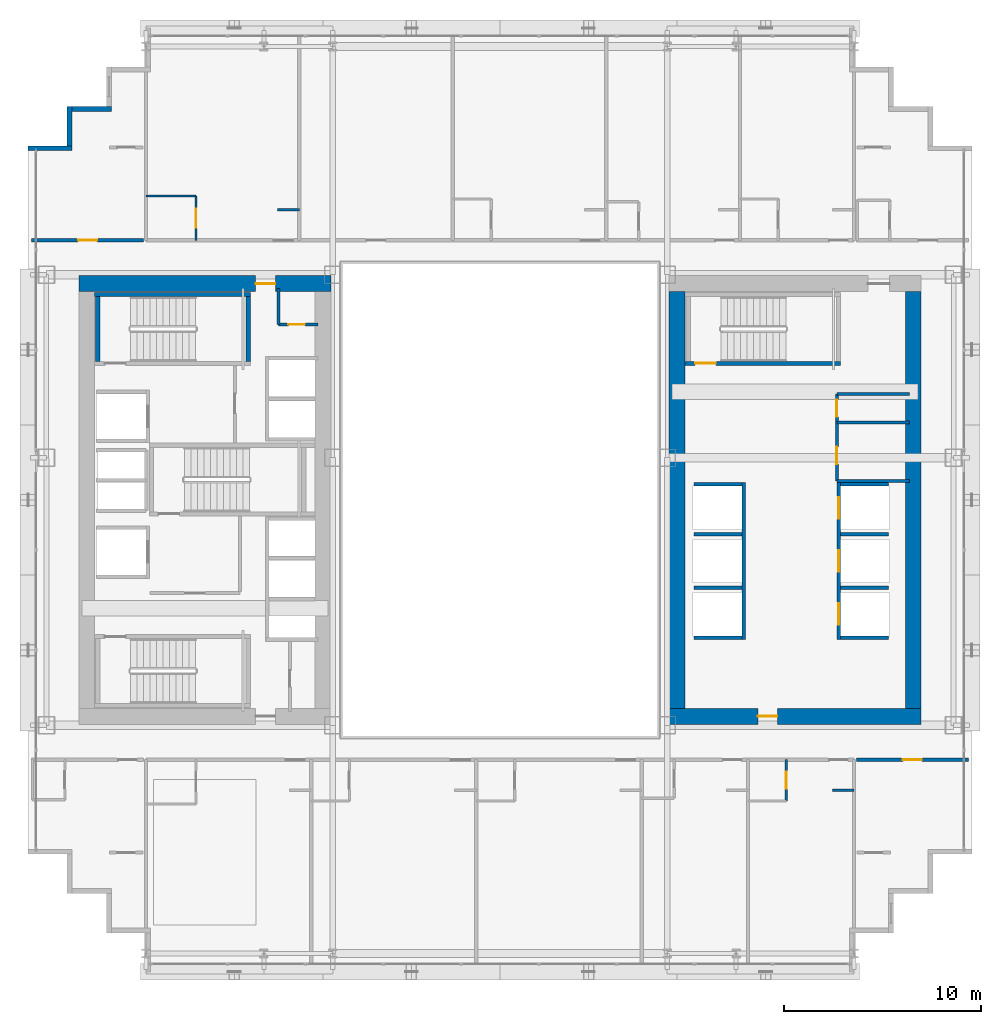
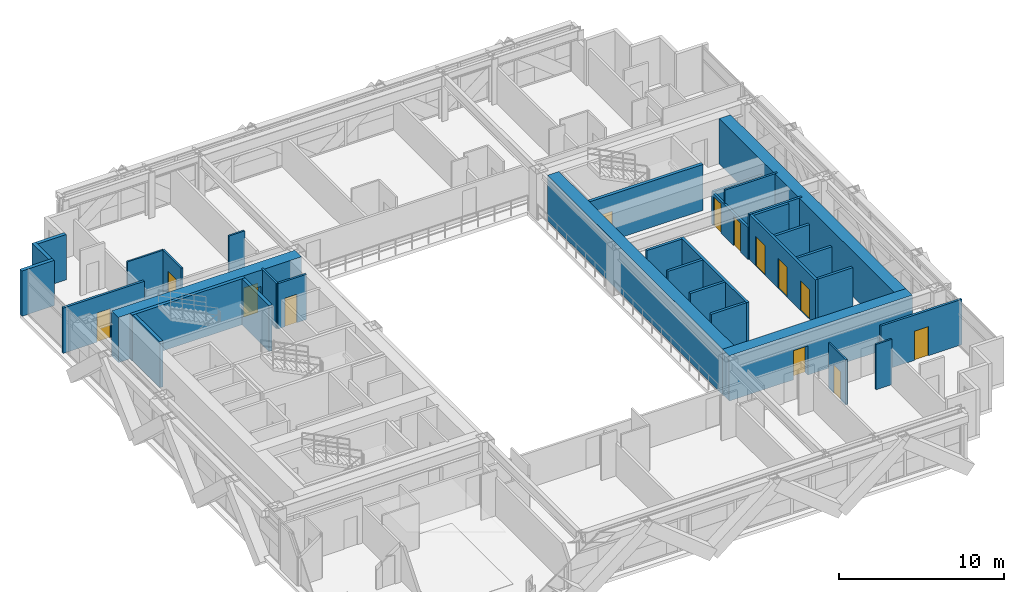
# One storey, part 29 of 35: 34 walls, 13 doors, 13 openings.
"""IFC4 building model written with IfcOpenShell, lengths in metres."""

from ifc_helpers import new_model, si_unit, direction, frame, frame_2d, origin, place, context, subcontext, project, spatial, rectangle, extrude, source, transform, mapped, material, layer, layer_set, type_object, element, fill, save


model = new_model("IFC4")

# Units and contexts
model_context = context("Model", 3, precision=1e-05, world=origin(), true_north=direction((0.0, 1.0)))
body_context = subcontext(model_context, "Body", "Model", "MODEL_VIEW")
ifc_project = project(units=[si_unit("LENGTHUNIT", "METRE"), si_unit("AREAUNIT", "SQUARE_METRE"), si_unit("VOLUMEUNIT", "CUBIC_METRE"), si_unit("PLANEANGLEUNIT", "RADIAN"), si_unit("MASSUNIT", "GRAM", prefix="KILO")], contexts=[model_context])

# Site, building, storey
site_placement = place(None, origin())
site = spatial("IfcSite", under=ifc_project, at=site_placement, CompositionType="ELEMENT")
building_placement = place(site_placement, origin())
building = spatial("IfcBuilding", under=site, at=building_placement, Name="Ocotamira Hotel", CompositionType="ELEMENT")
storey_placement = place(building_placement, frame((0.0, 0.0, 63.60009765625)))
storey = spatial("IfcBuildingStorey", under=building, at=storey_placement, Name="L15", CompositionType="ELEMENT", Elevation=63.60009765625)

# Wall, opening, door
ifc_material_1 = material(Name="Concrete C60/75", Category="concrete")
ifc_layer_1 = layer(ifc_material_1, 0.800048828125)
ifc_layer_set_1 = layer_set([ifc_layer_1], Name="Concrete C60/75")
wall_type_1 = type_object("IfcWallType", Name="WL-CORE-800", PredefinedType="SHEAR", material=ifc_layer_set_1)
wall_1_placement = place(storey_placement, frame((10.60009765625, 37.0, 0.0), z_axis=(0.0, 0.0, 1.0), x_axis=(1.0, 0.0, 0.0)))
wall_1 = element("IfcWall", 1, at=wall_1_placement, inside=storey, type_object=wall_type_1, Name="L15 Shear Core Wall WCORE-N", PredefinedType="SHEAR", context=body_context, shape_type="SweptSolid", body=[
    extrude(rectangle(XDim=12.7998046875, YDim=0.800048828125, at=frame_2d((6.39990234375, 0.0))), origin(), (0.0, 0.0, 1.0), 3.349853515625),
])
opening_1_placement = place(wall_1_placement, frame((8.97998046875, 0.0, 0.0)))
opening_1 = element("IfcOpeningElement", 2, at=opening_1_placement, cuts=wall_1, Name="Opening D-FR2", PredefinedType="OPENING", context=body_context, shape_type="SweptSolid", body=[
    extrude(rectangle(XDim=1.0, YDim=2.14990234375, at=frame_2d((0.5, 1.074951171875))), frame((0.0, 0.41015625, 0.0), z_axis=(0.0, -1.0, 0.0), x_axis=(1.0, 0.0, 0.0)), (0.0, 0.0, 1.0), 0.820068359375),
])
ifc_material_2 = material(Name="Fire-rated acoustic timber-veneer door", Category="wood")
door_type_1 = type_object("IfcDoorType", Name="DR-FIRE-1000", OperationType="NOTDEFINED", PredefinedType="DOOR", material=ifc_material_2)
shared_shape_1 = source(origin(), body_context, "Body", "SweptSolid", [
    extrude(rectangle(XDim=1.0, YDim=2.14990234375, at=frame_2d((0.5, 1.074951171875))), frame((0.0, 0.02490234375, 0.0), z_axis=(0.0, -1.0, 0.0), x_axis=(1.0, 0.0, 0.0)), (0.0, 0.0, 1.0), 0.050048828125),
])
door_1_placement = place(opening_1_placement, origin())
door_1 = element("IfcDoor", 3, at=door_1_placement, inside=storey, type_object=door_type_1, Name="L15 Door ID-L15-WLOB-N-D [ID-L15-WLOB-N-D]", OperationType="SINGLE_SWING_RIGHT", OverallHeight=2.14990234375, OverallWidth=1.0, PredefinedType="DOOR", context=body_context, shape_type="MappedRepresentation", body=[
    mapped(shared_shape_1, transform((0.0, 0.0, 0.0), scale=1.0)),
])
fill(opening_1, door_1)

wall_2_placement = place(storey_placement, frame((40.60009765625, 15.0, 0.0), z_axis=(0.0, 0.0, 1.0), x_axis=(1.0, 0.0, 0.0)))
wall_2 = element("IfcWall", 4, at=wall_2_placement, inside=storey, type_object=wall_type_1, Name="L15 Shear Core Wall ECORE-S", PredefinedType="SHEAR", context=body_context, shape_type="SweptSolid", body=[
    extrude(rectangle(XDim=12.7998046875, YDim=0.800048828125, at=frame_2d((6.39990234375, 0.0))), origin(), (0.0, 0.0, 1.0), 3.349853515625),
])
opening_2_placement = place(wall_2_placement, frame((4.5, 0.0, 0.0)))
opening_2 = element("IfcOpeningElement", 5, at=opening_2_placement, cuts=wall_2, Name="Opening D-FR2", PredefinedType="OPENING", context=body_context, shape_type="SweptSolid", body=[
    extrude(rectangle(XDim=1.0, YDim=2.14990234375, at=frame_2d((0.5, 1.074951171875))), frame((0.0, 0.41015625, 0.0), z_axis=(0.0, -1.0, 0.0), x_axis=(1.0, 0.0, 0.0)), (0.0, 0.0, 1.0), 0.820068359375),
])
door_2_placement = place(opening_2_placement, origin())
door_2 = element("IfcDoor", 6, at=door_2_placement, inside=storey, type_object=door_type_1, Name="L15 Door ID-L15-ELOB-S-D [ID-L15-ELOB-S-D]", OperationType="SINGLE_SWING_RIGHT", OverallHeight=2.14990234375, OverallWidth=1.0, PredefinedType="DOOR", context=body_context, shape_type="MappedRepresentation", body=[
    mapped(shared_shape_1, transform((0.0, 0.0, 0.0), scale=1.0)),
])
fill(opening_2, door_2)

# Walls
for number, where, z_axis, x_axis, name in (
    (7, (41.0, 15.39990234375, 0.0), (0.0, 0.0, 1.0), (0.0, 1.0, 0.0), "L15 Shear Core Wall ECORE-W"),
    (8, (53.0, 15.39990234375, 0.0), (0.0, 0.0, 1.0), (0.0, 1.0, 0.0), "L15 Shear Core Wall ECORE-E"),
):
    element("IfcWall", number, at=place(storey_placement, frame(where, z_axis=z_axis, x_axis=x_axis)), inside=storey, type_object=wall_type_1, Name=name, PredefinedType="SHEAR", context=body_context, shape_type="SweptSolid", body=[
        extrude(rectangle(XDim=21.2001953125, YDim=0.800048828125, at=frame_2d((10.60009765625, 0.0))), origin(), (0.0, 0.0, 1.0), 3.349853515625),
    ])
ifc_material_3 = material(Name="Precast concrete C45/55", Category="concrete")
ifc_layer_2 = layer(ifc_material_3, 0.25)
ifc_layer_set_2 = layer_set([ifc_layer_2], Name="Precast concrete C45/55")
wall_type_2 = type_object("IfcWallType", Name="WL-EXT-SER-250", PredefinedType="SOLIDWALL", material=ifc_layer_set_2)
for number, where, z_axis, x_axis, name in (
    (9, (12.25, 45.875, 0.0), (0.0, 0.0, 1.0), (-1.0, 0.0, 0.0), "L15 Serrated Corner Wall 16"),
    (10, (10.125, 46.0, 0.0), (0.0, 0.0, 1.0), (0.0, -1.0, 0.0), "L15 Serrated Corner Wall 17"),
):
    element("IfcWall", number, at=place(storey_placement, frame(where, z_axis=z_axis, x_axis=x_axis)), inside=storey, type_object=wall_type_2, Name=name, PredefinedType="SOLIDWALL", context=body_context, shape_type="SweptSolid", body=[
        extrude(rectangle(XDim=2.0, YDim=0.25, at=frame_2d((1.0, 0.0))), origin(), (0.0, 0.0, 1.0), 3.349853515625),
    ])
wall_3_placement = place(storey_placement, frame((10.25, 43.875, 0.0), z_axis=(0.0, 0.0, 1.0), x_axis=(-1.0, 0.0, 0.0)))
element("IfcWall", 11, at=wall_3_placement, inside=storey, type_object=wall_type_2, Name="L15 Serrated Corner Wall 18", PredefinedType="SOLIDWALL", context=body_context, shape_type="SweptSolid", body=[
    extrude(rectangle(XDim=2.25, YDim=0.25, at=frame_2d((1.125, 0.0))), origin(), (0.0, 0.0, 1.0), 3.349853515625),
])
ifc_material_4 = material(Name="Acoustic double-layer fire gypsum board partition", Category="gypsum")
ifc_layer_3 = layer(ifc_material_4, 0.159912109375)
ifc_layer_set_3 = layer_set([ifc_layer_3], Name="Acoustic double-layer fire gypsum board partition")
wall_type_3 = type_object("IfcWallType", Name="WL-FIRE-160", PredefinedType="PARTITIONING", material=ifc_layer_set_3)
wall_4_placement = place(storey_placement, frame((49.1201171875, 26.969970703125, 0.0), z_axis=(0.0, 0.0, 1.0), x_axis=(1.0, 0.0, 0.0)))
element("IfcWall", 12, at=wall_4_placement, inside=storey, type_object=wall_type_3, Name="L15 Interior Wall PW-L15-EC-NE-S", PredefinedType="PARTITIONING", context=body_context, shape_type="SweptSolid", body=[
    extrude(rectangle(XDim=3.679931640625, YDim=0.159912109375, at=frame_2d((1.83984375, 0.0))), origin(), (0.0, 0.0, 1.0), 3.349853515625),
])
wall_5_placement = place(storey_placement, frame((49.1201171875, 31.3798828125, 0.0), z_axis=(0.0, 0.0, 1.0), x_axis=(1.0, 0.0, 0.0)))
element("IfcWall", 13, at=wall_5_placement, inside=storey, type_object=wall_type_3, Name="L15 Interior Wall PW-L15-EC-NE-N", PredefinedType="PARTITIONING", context=body_context, shape_type="SweptSolid", body=[
    extrude(rectangle(XDim=3.679931640625, YDim=0.159912109375, at=frame_2d((1.83984375, 0.0))), origin(), (0.0, 0.0, 1.0), 2.35986328125),
])

# Wall, openings, doors
wall_6_placement = place(storey_placement, frame((49.1201171875, 26.969970703125, 0.0), z_axis=(0.0, 0.0, 1.0), x_axis=(0.0, 1.0, 0.0)))
wall_6 = element("IfcWall", 14, at=wall_6_placement, inside=storey, type_object=wall_type_3, Name="L15 Interior Wall PW-L15-EC-NE-W", PredefinedType="PARTITIONING", context=body_context, shape_type="SweptSolid", body=[
    extrude(rectangle(XDim=4.409912109375, YDim=0.159912109375, at=frame_2d((2.205078125, 0.0))), origin(), (0.0, 0.0, 1.0), 2.35986328125),
])
opening_3_placement = place(wall_6_placement, frame((0.85009765625, 0.0, 0.0)))
opening_3 = element("IfcOpeningElement", 15, at=opening_3_placement, cuts=wall_6, Name="Opening D-SV2", PredefinedType="OPENING", context=body_context, shape_type="SweptSolid", body=[
    extrude(rectangle(XDim=0.8798828125, YDim=2.14990234375, at=frame_2d((0.43994140625, 1.074951171875))), frame((0.0, 0.08984375, 0.0), z_axis=(0.0, -1.0, 0.0), x_axis=(1.0, 0.0, 0.0)), (0.0, 0.0, 1.0), 0.179931640625),
])
opening_4_placement = place(wall_6_placement, frame((3.25, 0.0, 0.0)))
opening_4 = element("IfcOpeningElement", 16, at=opening_4_placement, cuts=wall_6, Name="Opening D-SV2", PredefinedType="OPENING", context=body_context, shape_type="SweptSolid", body=[
    extrude(rectangle(XDim=0.8798828125, YDim=2.14990234375, at=frame_2d((0.43994140625, 1.074951171875))), frame((0.0, 0.08984375, 0.0), z_axis=(0.0, -1.0, 0.0), x_axis=(1.0, 0.0, 0.0)), (0.0, 0.0, 1.0), 0.179931640625),
])
ifc_material_5 = material(Name="Fire-rated painted steel service door", Category="steel")
door_type_2 = type_object("IfcDoorType", Name="DR-SERV-880", OperationType="NOTDEFINED", PredefinedType="DOOR", material=ifc_material_5)
shared_shape_2 = source(origin(), body_context, "Body", "SweptSolid", [
    extrude(rectangle(XDim=0.8798828125, YDim=2.14990234375, at=frame_2d((0.43994140625, 1.074951171875))), frame((0.0, 0.02490234375, 0.0), z_axis=(0.0, -1.0, 0.0), x_axis=(1.0, 0.0, 0.0)), (0.0, 0.0, 1.0), 0.050048828125),
])
door_3_placement = place(opening_3_placement, origin())
door_3 = element("IfcDoor", 17, at=door_3_placement, inside=storey, type_object=door_type_2, Name="L15 Door ID-L15-EC-NE-D1 [ID-L15-EC-NE-D1]", OperationType="SINGLE_SWING_LEFT", OverallHeight=2.14990234375, OverallWidth=0.8798828125, PredefinedType="DOOR", context=body_context, shape_type="MappedRepresentation", body=[
    mapped(shared_shape_2, transform((0.0, 0.0, 0.0), scale=1.0)),
])
fill(opening_3, door_3)
door_4_placement = place(opening_4_placement, origin())
door_4 = element("IfcDoor", 18, at=door_4_placement, inside=storey, type_object=door_type_2, Name="L15 Door ID-L15-EC-NE-D2 [ID-L15-EC-NE-D2]", OperationType="SINGLE_SWING_RIGHT", OverallHeight=2.14990234375, OverallWidth=0.8798828125, PredefinedType="DOOR", context=body_context, shape_type="MappedRepresentation", body=[
    mapped(shared_shape_2, transform((0.0, 0.0, 0.0), scale=1.0)),
])
fill(opening_4, door_4)

# Wall, opening, door
wall_7_placement = place(storey_placement, frame((50.1201171875, 12.800048828125, 0.0), z_axis=(0.0, 0.0, 1.0), x_axis=(1.0, 0.0, 0.0)))
wall_7 = element("IfcWall", 19, at=wall_7_placement, inside=storey, type_object=wall_type_3, Name="L15 Interior Wall PW-L15-Z1C-CSE-CW", PredefinedType="PARTITIONING", context=body_context, shape_type="SweptSolid", body=[
    extrude(rectangle(XDim=5.679931640625, YDim=0.159912109375, at=frame_2d((2.83984375, 0.0))), origin(), (0.0, 0.0, 1.0), 3.349853515625),
])
opening_5_placement = place(wall_7_placement, frame((2.360107421875, 0.0, 0.0)))
opening_5 = element("IfcOpeningElement", 20, at=opening_5_placement, cuts=wall_7, Name="Opening D-SV4", PredefinedType="OPENING", context=body_context, shape_type="SweptSolid", body=[
    extrude(rectangle(XDim=0.9599609375, YDim=2.14990234375, at=frame_2d((0.47998046875, 1.074951171875))), frame((0.0, 0.08984375, 0.0), z_axis=(0.0, -1.0, 0.0), x_axis=(1.0, 0.0, 0.0)), (0.0, 0.0, 1.0), 0.179931640625),
])
ifc_material_6 = material(Name="Fire-rated accessible walnut salon door", Category="wood")
door_type_3 = type_object("IfcDoorType", Name="DR-SERV-960", OperationType="NOTDEFINED", PredefinedType="DOOR", material=ifc_material_6)
shared_shape_3 = source(origin(), body_context, "Body", "SweptSolid", [
    extrude(rectangle(XDim=0.9599609375, YDim=2.14990234375, at=frame_2d((0.47998046875, 1.074951171875))), frame((0.0, 0.02490234375, 0.0), z_axis=(0.0, -1.0, 0.0), x_axis=(1.0, 0.0, 0.0)), (0.0, 0.0, 1.0), 0.050048828125),
])
door_5_placement = place(opening_5_placement, origin())
door_5 = element("IfcDoor", 21, at=door_5_placement, inside=storey, type_object=door_type_3, Name="L15 Door ID-L15-Z1C-CSE-CD [ID-L15-Z1C-CSE-CD]", OperationType="SINGLE_SWING_LEFT", OverallHeight=2.14990234375, OverallWidth=0.9599609375, PredefinedType="DOOR", context=body_context, shape_type="MappedRepresentation", body=[
    mapped(shared_shape_3, transform((0.0, 0.0, 0.0), scale=1.0)),
])
fill(opening_5, door_5)

wall_8_placement = place(storey_placement, frame((8.199951171875, 39.199951171875, 0.0), z_axis=(0.0, 0.0, 1.0), x_axis=(1.0, 0.0, 0.0)))
wall_8 = element("IfcWall", 22, at=wall_8_placement, inside=storey, type_object=wall_type_3, Name="L15 Interior Wall PW-L15-Z1C-CNW-CW", PredefinedType="PARTITIONING", context=body_context, shape_type="SweptSolid", body=[
    extrude(rectangle(XDim=5.679931640625, YDim=0.159912109375, at=frame_2d((2.83984375, 0.0))), origin(), (0.0, 0.0, 1.0), 3.349853515625),
])
opening_6_placement = place(wall_8_placement, frame((2.360107421875, 0.0, 0.0)))
opening_6 = element("IfcOpeningElement", 23, at=opening_6_placement, cuts=wall_8, Name="Opening D-SV4", PredefinedType="OPENING", context=body_context, shape_type="SweptSolid", body=[
    extrude(rectangle(XDim=0.9599609375, YDim=2.14990234375, at=frame_2d((0.47998046875, 1.074951171875))), frame((0.0, 0.08984375, 0.0), z_axis=(0.0, -1.0, 0.0), x_axis=(1.0, 0.0, 0.0)), (0.0, 0.0, 1.0), 0.179931640625),
])
door_6_placement = place(opening_6_placement, origin())
door_6 = element("IfcDoor", 24, at=door_6_placement, inside=storey, type_object=door_type_3, Name="L15 Door ID-L15-Z1C-CNW-CD [ID-L15-Z1C-CNW-CD]", OperationType="SINGLE_SWING_LEFT", OverallHeight=2.14990234375, OverallWidth=0.9599609375, PredefinedType="DOOR", context=body_context, shape_type="MappedRepresentation", body=[
    mapped(shared_shape_3, transform((0.0, 0.0, 0.0), scale=1.0)),
])
fill(opening_6, door_6)

ifc_material_7 = material(Name="Moisture-resistant en-suite tile and gypsum partition", Category="gypsum")
ifc_layer_4 = layer(ifc_material_7, 0.1201171875)
ifc_layer_set_4 = layer_set([ifc_layer_4], Name="Moisture-resistant en-suite tile and gypsum partition")
wall_type_4 = type_object("IfcWallType", Name="WL-PART-120", PredefinedType="PARTITIONING", material=ifc_layer_set_4)
wall_9_placement = place(storey_placement, frame((46.550048828125, 10.699951171875, 0.0), z_axis=(0.0, 0.0, 1.0), x_axis=(0.0, 1.0, 0.0)))
wall_9 = element("IfcWall", 25, at=wall_9_placement, inside=storey, type_object=wall_type_4, Name="L15 Interior Wall PW-L15-Z1CS-BAE5", PredefinedType="PARTITIONING", context=body_context, shape_type="SweptSolid", body=[
    extrude(rectangle(XDim=2.10009765625, YDim=0.1201171875, at=frame_2d((1.050048828125, 0.0))), origin(), (0.0, 0.0, 1.0), 3.349853515625),
])
opening_7_placement = place(wall_9_placement, frame((0.6201171875, 0.0, 0.0)))
opening_7 = element("IfcOpeningElement", 26, at=opening_7_placement, cuts=wall_9, Name="Opening D-BA1", PredefinedType="OPENING", context=body_context, shape_type="SweptSolid", body=[
    extrude(rectangle(XDim=0.860107421875, YDim=2.10009765625, at=frame_2d((0.43017578125, 1.050048828125))), frame((0.0, 0.070068359375, 0.0), z_axis=(0.0, -1.0, 0.0), x_axis=(1.0, 0.0, 0.0)), (0.0, 0.0, 1.0), 0.14013671875),
])
ifc_material_8 = material(Name="Moisture-sealed en-suite timber door", Category="wood")
door_type_4 = type_object("IfcDoorType", Name="DR-BATH-860", OperationType="NOTDEFINED", PredefinedType="DOOR", material=ifc_material_8)
shared_shape_4 = source(origin(), body_context, "Body", "SweptSolid", [
    extrude(rectangle(XDim=0.860107421875, YDim=2.10009765625, at=frame_2d((0.43017578125, 1.050048828125))), frame((0.0, 0.02490234375, 0.0), z_axis=(0.0, -1.0, 0.0), x_axis=(1.0, 0.0, 0.0)), (0.0, 0.0, 1.0), 0.050048828125),
])
door_7_placement = place(opening_7_placement, origin())
door_7 = element("IfcDoor", 27, at=door_7_placement, inside=storey, type_object=door_type_4, Name="L15 Door ID-L15-Z1CS-BAD5 [ID-L15-Z1CS-BAD5]", OperationType="SINGLE_SWING_RIGHT", OverallHeight=2.10009765625, OverallWidth=0.860107421875, PredefinedType="DOOR", context=body_context, shape_type="MappedRepresentation", body=[
    mapped(shared_shape_4, transform((0.0, 0.0, 0.0), scale=1.0)),
])
fill(opening_7, door_7)

# Wall
wall_10_placement = place(storey_placement, frame((48.89990234375, 11.25, 0.0), z_axis=(0.0, 0.0, 1.0), x_axis=(1.0, 0.0, 0.0)))
element("IfcWall", 28, at=wall_10_placement, inside=storey, type_object=wall_type_4, Name="L15 Interior Wall PW-L15-Z1CS-DRN5", PredefinedType="PARTITIONING", context=body_context, shape_type="SweptSolid", body=[
    extrude(rectangle(XDim=1.10009765625, YDim=0.1201171875, at=frame_2d((0.550048828125, 0.0))), origin(), (0.0, 0.0, 1.0), 3.349853515625),
])

# Wall, opening, door
wall_11_placement = place(storey_placement, frame((16.550048828125, 39.199951171875, 0.0), z_axis=(0.0, 0.0, 1.0), x_axis=(0.0, 1.0, 0.0)))
wall_11 = element("IfcWall", 29, at=wall_11_placement, inside=storey, type_object=wall_type_4, Name="L15 Interior Wall PW-L15-Z1CN-BAE1", PredefinedType="PARTITIONING", context=body_context, shape_type="SweptSolid", body=[
    extrude(rectangle(XDim=2.25, YDim=0.1201171875, at=frame_2d((1.125, 0.0))), origin(), (0.0, 0.0, 1.0), 3.349853515625),
])
opening_8_placement = place(wall_11_placement, frame((0.64501953125, 0.0, 0.0)))
opening_8 = element("IfcOpeningElement", 30, at=opening_8_placement, cuts=wall_11, Name="Opening D-IN1", PredefinedType="OPENING", context=body_context, shape_type="SweptSolid", body=[
    extrude(rectangle(XDim=0.9599609375, YDim=2.14990234375, at=frame_2d((0.47998046875, 1.074951171875))), frame((0.0, 0.070068359375, 0.0), z_axis=(0.0, -1.0, 0.0), x_axis=(1.0, 0.0, 0.0)), (0.0, 0.0, 1.0), 0.14013671875),
])
ifc_material_9 = material(Name="Accessible walnut interior room door", Category="wood")
door_type_5 = type_object("IfcDoorType", Name="DR-INT-960", OperationType="NOTDEFINED", PredefinedType="DOOR", material=ifc_material_9)
door_8_placement = place(opening_8_placement, origin())
door_8 = element("IfcDoor", 31, at=door_8_placement, inside=storey, type_object=door_type_5, Name="L15 Door ID-L15-Z1CN-BAD1 [ID-L15-Z1CN-BAD1]", OperationType="SINGLE_SWING_RIGHT", OverallHeight=2.14990234375, OverallWidth=0.9599609375, PredefinedType="DOOR", context=body_context, shape_type="MappedRepresentation", body=[
    mapped(shared_shape_3, transform((0.0, 0.0, 0.0), scale=1.0)),
])
fill(opening_8, door_8)

# Walls
wall_12_placement = place(storey_placement, frame((14.0, 41.449951171875, 0.0), z_axis=(0.0, 0.0, 1.0), x_axis=(1.0, 0.0, 0.0)))
element("IfcWall", 32, at=wall_12_placement, inside=storey, type_object=wall_type_4, Name="L15 Interior Wall PW-L15-Z1CN-BAN1", PredefinedType="PARTITIONING", context=body_context, shape_type="SweptSolid", body=[
    extrude(rectangle(XDim=2.550048828125, YDim=0.1201171875, at=frame_2d((1.27490234375, 0.0))), origin(), (0.0, 0.0, 1.0), 3.349853515625),
])
wall_13_placement = place(storey_placement, frame((20.699951171875, 40.75, 0.0), z_axis=(0.0, 0.0, 1.0), x_axis=(1.0, 0.0, 0.0)))
element("IfcWall", 33, at=wall_13_placement, inside=storey, type_object=wall_type_4, Name="L15 Interior Wall PW-L15-Z1CN-DRN1", PredefinedType="PARTITIONING", context=body_context, shape_type="SweptSolid", body=[
    extrude(rectangle(XDim=1.10009765625, YDim=0.1201171875, at=frame_2d((0.550048828125, 0.0))), origin(), (0.0, 0.0, 1.0), 3.349853515625),
])
ifc_material_10 = material(Name="Acoustic hospitality gypsum board partition", Category="gypsum")
ifc_layer_5 = layer(ifc_material_10, 0.14208984375)
ifc_layer_set_5 = layer_set([ifc_layer_5], Name="Acoustic hospitality gypsum board partition")
wall_type_5 = type_object("IfcWallType", Name="WL-PART-142", PredefinedType="PARTITIONING", material=ifc_layer_set_5)
wall_14_placement = place(storey_placement, frame((20.739990234375, 34.919921875, 0.0), z_axis=(0.0, 0.0, 1.0), x_axis=(0.0, 1.0, 0.0)))
element("IfcWall", 34, at=wall_14_placement, inside=storey, type_object=wall_type_5, Name="L15 Interior Wall PW-L15-WC-NE-W1", PredefinedType="PARTITIONING", context=body_context, shape_type="SweptSolid", body=[
    extrude(rectangle(XDim=1.830078125, YDim=0.14208984375, at=frame_2d((0.9150390625, 0.0))), origin(), (0.0, 0.0, 1.0), 3.349853515625),
])

# Wall, opening, door
wall_15_placement = place(storey_placement, frame((20.739990234375, 34.919921875, 0.0), z_axis=(0.0, 0.0, 1.0), x_axis=(1.0, 0.0, 0.0)))
wall_15 = element("IfcWall", 35, at=wall_15_placement, inside=storey, type_object=wall_type_5, Name="L15 Interior Wall PW-L15-WC-NE-S1", PredefinedType="PARTITIONING", context=body_context, shape_type="SweptSolid", body=[
    extrude(rectangle(XDim=2.010009765625, YDim=0.14208984375, at=frame_2d((1.0048828125, 0.0))), origin(), (0.0, 0.0, 1.0), 3.349853515625),
])
opening_9_placement = place(wall_15_placement, frame((0.5, 0.0, 0.0)))
opening_9 = element("IfcOpeningElement", 36, at=opening_9_placement, cuts=wall_15, Name="Opening D-SV1", PredefinedType="OPENING", context=body_context, shape_type="SweptSolid", body=[
    extrude(rectangle(XDim=0.840087890625, YDim=2.10009765625, at=frame_2d((0.419921875, 1.050048828125))), frame((0.0, 0.0810546875, 0.0), z_axis=(0.0, -1.0, 0.0), x_axis=(1.0, 0.0, 0.0)), (0.0, 0.0, 1.0), 0.162109375),
])
door_type_6 = type_object("IfcDoorType", Name="DR-SERV-840", OperationType="NOTDEFINED", PredefinedType="DOOR", material=ifc_material_5)
shared_shape_5 = source(origin(), body_context, "Body", "SweptSolid", [
    extrude(rectangle(XDim=0.840087890625, YDim=2.10009765625, at=frame_2d((0.419921875, 1.050048828125))), frame((0.0, 0.02490234375, 0.0), z_axis=(0.0, -1.0, 0.0), x_axis=(1.0, 0.0, 0.0)), (0.0, 0.0, 1.0), 0.050048828125),
])
door_9_placement = place(opening_9_placement, origin())
door_9 = element("IfcDoor", 37, at=door_9_placement, inside=storey, type_object=door_type_6, Name="L15 Door ID-L15-WC-NE-D1 [ID-L15-WC-NE-D1]", OperationType="SINGLE_SWING_LEFT", OverallHeight=2.10009765625, OverallWidth=0.840087890625, PredefinedType="DOOR", context=body_context, shape_type="MappedRepresentation", body=[
    mapped(shared_shape_5, transform((0.0, 0.0, 0.0), scale=1.0)),
])
fill(opening_9, door_9)

# Wall
ifc_layer_6 = layer(ifc_material_10, 0.14990234375)
ifc_layer_set_6 = layer_set([ifc_layer_6], Name="Acoustic hospitality gypsum board partition")
wall_type_6 = type_object("IfcWallType", Name="WL-PART-150", PredefinedType="PARTITIONING", material=ifc_layer_set_6)
wall_16_placement = place(storey_placement, frame((49.1201171875, 29.929931640625, 0.0), z_axis=(0.0, 0.0, 1.0), x_axis=(1.0, 0.0, 0.0)))
element("IfcWall", 38, at=wall_16_placement, inside=storey, type_object=wall_type_6, Name="L15 Interior Wall PW-L15-EC-NE-Y", PredefinedType="PARTITIONING", context=body_context, shape_type="SweptSolid", body=[
    extrude(rectangle(XDim=3.679931640625, YDim=0.14990234375, at=frame_2d((1.83984375, 0.0))), origin(), (0.0, 0.0, 1.0), 3.349853515625),
])

# Wall, openings, doors
ifc_material_11 = material(Name="Fire-rated gypsum shaftliner board assembly", Category="gypsum")
ifc_layer_7 = layer(ifc_material_11, 0.179931640625)
ifc_layer_set_7 = layer_set([ifc_layer_7], Name="Fire-rated gypsum shaftliner board assembly")
wall_type_7 = type_object("IfcWallType", Name="WL-SHAFT-180", PredefinedType="SOLIDWALL", material=ifc_layer_set_7)
wall_17_placement = place(storey_placement, frame((49.2099609375, 18.919921875, 0.0), z_axis=(0.0, 0.0, 1.0), x_axis=(0.0, 1.0, 0.0)))
wall_17 = element("IfcWall", 39, at=wall_17_placement, inside=storey, type_object=wall_type_7, Name="L15 Interior Wall PW-L15-LFW-BANK-low-F", PredefinedType="SOLIDWALL", context=body_context, shape_type="SweptSolid", body=[
    extrude(rectangle(XDim=7.9599609375, YDim=0.179931640625, at=frame_2d((3.97998046875, 0.0))), origin(), (0.0, 0.0, 1.0), 3.349853515625),
])
opening_10_placement = place(wall_17_placement, frame((0.72998046875, 0.0, 0.0)))
opening_10 = element("IfcOpeningElement", 40, at=opening_10_placement, cuts=wall_17, Name="Opening LD-LF-P1", PredefinedType="OPENING", context=body_context, shape_type="SweptSolid", body=[
    extrude(rectangle(XDim=1.10009765625, YDim=2.199951171875, at=frame_2d((0.550048828125, 1.10009765625))), frame((0.0, 0.10009765625, 0.0), z_axis=(0.0, -1.0, 0.0), x_axis=(1.0, 0.0, 0.0)), (0.0, 0.0, 1.0), 0.199951171875),
])
opening_11_placement = place(wall_17_placement, frame((3.429931640625, 0.0, 0.0)))
opening_11 = element("IfcOpeningElement", 41, at=opening_11_placement, cuts=wall_17, Name="Opening LD-LF-P2", PredefinedType="OPENING", context=body_context, shape_type="SweptSolid", body=[
    extrude(rectangle(XDim=1.10009765625, YDim=2.199951171875, at=frame_2d((0.550048828125, 1.10009765625))), frame((0.0, 0.10009765625, 0.0), z_axis=(0.0, -1.0, 0.0), x_axis=(1.0, 0.0, 0.0)), (0.0, 0.0, 1.0), 0.199951171875),
])
opening_12_placement = place(wall_17_placement, frame((6.1298828125, 0.0, 0.0)))
opening_12 = element("IfcOpeningElement", 42, at=opening_12_placement, cuts=wall_17, Name="Opening LD-LF-P3", PredefinedType="OPENING", context=body_context, shape_type="SweptSolid", body=[
    extrude(rectangle(XDim=1.10009765625, YDim=2.199951171875, at=frame_2d((0.550048828125, 1.10009765625))), frame((0.0, 0.10009765625, 0.0), z_axis=(0.0, -1.0, 0.0), x_axis=(1.0, 0.0, 0.0)), (0.0, 0.0, 1.0), 0.199951171875),
])
ifc_material_12 = material(Name="Brushed pale-metal stainless elevator landing door", Category="steel")
door_type_7 = type_object("IfcDoorType", Name="DR-LIFT-1100", OperationType="NOTDEFINED", PredefinedType="DOOR", material=ifc_material_12)
shared_shape_6 = source(origin(), body_context, "Body", "SweptSolid", [
    extrude(rectangle(XDim=1.10009765625, YDim=2.199951171875, at=frame_2d((0.550048828125, 1.10009765625))), frame((0.0, 0.02490234375, 0.0), z_axis=(0.0, -1.0, 0.0), x_axis=(1.0, 0.0, 0.0)), (0.0, 0.0, 1.0), 0.050048828125),
])
door_10_placement = place(opening_10_placement, origin())
door_10 = element("IfcDoor", 43, at=door_10_placement, inside=storey, type_object=door_type_7, Name="L15 Landing Door LD-LF-P1 [ID-L15-LD-LF-P1]", OperationType="DOUBLE_DOOR_SLIDING", OverallHeight=2.199951171875, OverallWidth=1.10009765625, PredefinedType="DOOR", context=body_context, shape_type="MappedRepresentation", body=[
    mapped(shared_shape_6, transform((0.0, 0.0, 0.0), scale=1.0)),
])
fill(opening_10, door_10)
door_11_placement = place(opening_11_placement, origin())
door_11 = element("IfcDoor", 44, at=door_11_placement, inside=storey, type_object=door_type_7, Name="L15 Landing Door LD-LF-P2 [ID-L15-LD-LF-P2]", OperationType="DOUBLE_DOOR_SLIDING", OverallHeight=2.199951171875, OverallWidth=1.10009765625, PredefinedType="DOOR", context=body_context, shape_type="MappedRepresentation", body=[
    mapped(shared_shape_6, transform((0.0, 0.0, 0.0), scale=1.0)),
])
fill(opening_11, door_11)
door_12_placement = place(opening_12_placement, origin())
door_12 = element("IfcDoor", 45, at=door_12_placement, inside=storey, type_object=door_type_7, Name="L15 Landing Door LD-LF-P3 [ID-L15-LD-LF-P3]", OperationType="DOUBLE_DOOR_SLIDING", OverallHeight=2.199951171875, OverallWidth=1.10009765625, PredefinedType="DOOR", context=body_context, shape_type="MappedRepresentation", body=[
    mapped(shared_shape_6, transform((0.0, 0.0, 0.0), scale=1.0)),
])
fill(opening_12, door_12)

# Walls
for number, where, z_axis, x_axis, name in (
    (46, (49.300048828125, 19.010009765625, 0.0), (0.0, 0.0, 1.0), (1.0, 0.0, 0.0), "L15 Interior Wall PW-L15-LFW-BANK-low-S"),
    (47, (49.300048828125, 26.7900390625, 0.0), (0.0, 0.0, 1.0), (1.0, 0.0, 0.0), "L15 Interior Wall PW-L15-LFW-BANK-low-N"),
    (48, (49.300048828125, 21.550048828125, 0.0), (0.0, 0.0, 1.0), (1.0, 0.0, 0.0), "L15 Interior Wall PW-L15-LFW-DIV-LF-P1"),
    (49, (49.300048828125, 24.25, 0.0), (0.0, 0.0, 1.0), (1.0, 0.0, 0.0), "L15 Interior Wall PW-L15-LFW-DIV-LF-P2"),
):
    element("IfcWall", number, at=place(storey_placement, frame(where, z_axis=z_axis, x_axis=x_axis)), inside=storey, type_object=wall_type_7, Name=name, PredefinedType="SOLIDWALL", context=body_context, shape_type="SweptSolid", body=[
        extrude(rectangle(XDim=2.449951171875, YDim=0.179931640625, at=frame_2d((1.22509765625, 0.0))), origin(), (0.0, 0.0, 1.0), 3.349853515625),
    ])
wall_18_placement = place(storey_placement, frame((44.389892578125, 18.919921875, 0.0), z_axis=(0.0, 0.0, 1.0), x_axis=(0.0, 1.0, 0.0)))
element("IfcWall", 50, at=wall_18_placement, inside=storey, type_object=wall_type_7, Name="L15 Interior Wall PW-L15-LFW-BANK-mid-F", PredefinedType="SOLIDWALL", context=body_context, shape_type="SweptSolid", body=[
    extrude(rectangle(XDim=7.9599609375, YDim=0.179931640625, at=frame_2d((3.97998046875, 0.0))), origin(), (0.0, 0.0, 1.0), 3.349853515625),
])
for number, where, z_axis, x_axis, name in (
    (51, (41.85009765625, 19.010009765625, 0.0), (0.0, 0.0, 1.0), (1.0, 0.0, 0.0), "L15 Interior Wall PW-L15-LFW-BANK-mid-S"),
    (52, (41.85009765625, 26.7900390625, 0.0), (0.0, 0.0, 1.0), (1.0, 0.0, 0.0), "L15 Interior Wall PW-L15-LFW-BANK-mid-N"),
    (53, (41.85009765625, 21.550048828125, 0.0), (0.0, 0.0, 1.0), (1.0, 0.0, 0.0), "L15 Interior Wall PW-L15-LFW-DIV-LF-P4"),
    (54, (41.85009765625, 24.25, 0.0), (0.0, 0.0, 1.0), (1.0, 0.0, 0.0), "L15 Interior Wall PW-L15-LFW-DIV-LF-P5"),
):
    element("IfcWall", number, at=place(storey_placement, frame(where, z_axis=z_axis, x_axis=x_axis)), inside=storey, type_object=wall_type_7, Name=name, PredefinedType="SOLIDWALL", context=body_context, shape_type="SweptSolid", body=[
        extrude(rectangle(XDim=2.449951171875, YDim=0.179931640625, at=frame_2d((1.22509765625, 0.0))), origin(), (0.0, 0.0, 1.0), 3.349853515625),
    ])
ifc_material_13 = material(Name="Concrete C50/60", Category="concrete")
ifc_layer_8 = layer(ifc_material_13, 0.219970703125)
ifc_layer_set_8 = layer_set([ifc_layer_8], Name="Concrete C50/60")
wall_type_8 = type_object("IfcWallType", Name="WL-STAIR-220", PredefinedType="SHEAR", material=ifc_layer_set_8)
wall_19_placement = place(storey_placement, frame((11.39990234375, 36.43994140625, 0.0), z_axis=(0.0, 0.0, 1.0), x_axis=(1.0, 0.0, 0.0)))
element("IfcWall", 55, at=wall_19_placement, inside=storey, type_object=wall_type_8, Name="L15 Stair Shaft Structural Wall ST-2-N", PredefinedType="SHEAR", context=body_context, shape_type="SweptSolid", body=[
    extrude(rectangle(XDim=7.91015625, YDim=0.219970703125, at=frame_2d((3.955078125, 0.0))), origin(), (0.0, 0.0, 1.0), 3.39990234375),
])
for number, where, z_axis, x_axis, name in (
    (56, (11.56005859375, 33.050048828125, 0.0), (0.0, 0.0, 1.0), (0.0, 1.0, 0.0), "L15 Stair Shaft Structural Wall ST-2-W"),
    (57, (19.199951171875, 33.050048828125, 0.0), (0.0, 0.0, 1.0), (0.0, 1.0, 0.0), "L15 Stair Shaft Structural Wall ST-2-E"),
):
    element("IfcWall", number, at=place(storey_placement, frame(where, z_axis=z_axis, x_axis=x_axis)), inside=storey, type_object=wall_type_8, Name=name, PredefinedType="SHEAR", context=body_context, shape_type="SweptSolid", body=[
        extrude(rectangle(XDim=3.280029296875, YDim=0.219970703125, at=frame_2d((1.64013671875, 0.0))), origin(), (0.0, 0.0, 1.0), 3.39990234375),
    ])

# Wall, opening, door
wall_20_placement = place(storey_placement, frame((41.39990234375, 32.93994140625, 0.0), z_axis=(0.0, 0.0, 1.0), x_axis=(1.0, 0.0, 0.0)))
wall_20 = element("IfcWall", 58, at=wall_20_placement, inside=storey, type_object=wall_type_8, Name="L15 Stair Shaft Structural Wall ST-4-S", PredefinedType="SHEAR", context=body_context, shape_type="SweptSolid", body=[
    extrude(rectangle(XDim=7.91015625, YDim=0.219970703125, at=frame_2d((3.955078125, 0.0))), origin(), (0.0, 0.0, 1.0), 3.39990234375),
])
opening_13_placement = place(wall_20_placement, frame((0.52001953125, 0.0, 0.0)))
opening_13 = element("IfcOpeningElement", 59, at=opening_13_placement, cuts=wall_20, Name="Opening D-ST2", PredefinedType="OPENING", context=body_context, shape_type="SweptSolid", body=[
    extrude(rectangle(XDim=1.050048828125, YDim=2.14990234375, at=frame_2d((0.52490234375, 1.074951171875))), frame((0.0, 0.1201171875, 0.0), z_axis=(0.0, -1.0, 0.0), x_axis=(1.0, 0.0, 0.0)), (0.0, 0.0, 1.0), 0.239990234375),
])
ifc_material_14 = material(Name="Insulated painted hollow-metal fire exit door", Category="steel")
door_type_8 = type_object("IfcDoorType", Name="DR-STAIR-1050", OperationType="NOTDEFINED", PredefinedType="DOOR", material=ifc_material_14)
shared_shape_7 = source(origin(), body_context, "Body", "SweptSolid", [
    extrude(rectangle(XDim=1.050048828125, YDim=2.14990234375, at=frame_2d((0.52490234375, 1.074951171875))), frame((0.0, 0.02490234375, 0.0), z_axis=(0.0, -1.0, 0.0), x_axis=(1.0, 0.0, 0.0)), (0.0, 0.0, 1.0), 0.050048828125),
])
door_13_placement = place(opening_13_placement, origin())
door_13 = element("IfcDoor", 60, at=door_13_placement, inside=storey, type_object=door_type_8, Name="L15 Door ID-L15-STD-ST-4 [ID-L15-STD-ST-4]", OperationType="SINGLE_SWING_LEFT", OverallHeight=2.14990234375, OverallWidth=1.050048828125, PredefinedType="DOOR", context=body_context, shape_type="MappedRepresentation", body=[
    mapped(shared_shape_7, transform((0.0, 0.0, 0.0), scale=1.0)),
])
fill(opening_13, door_13)

save(model, "model.ifc")
